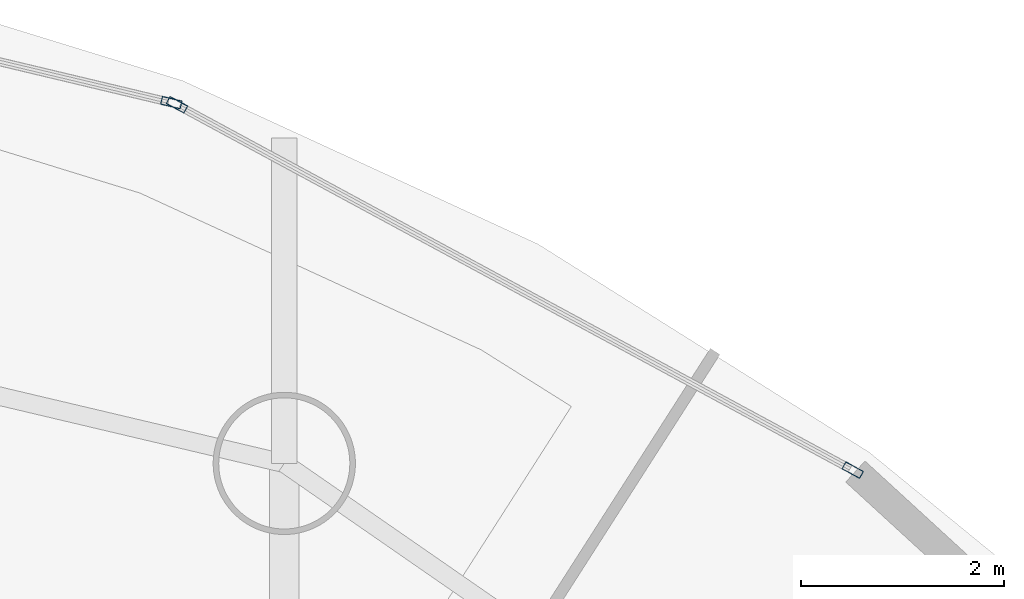
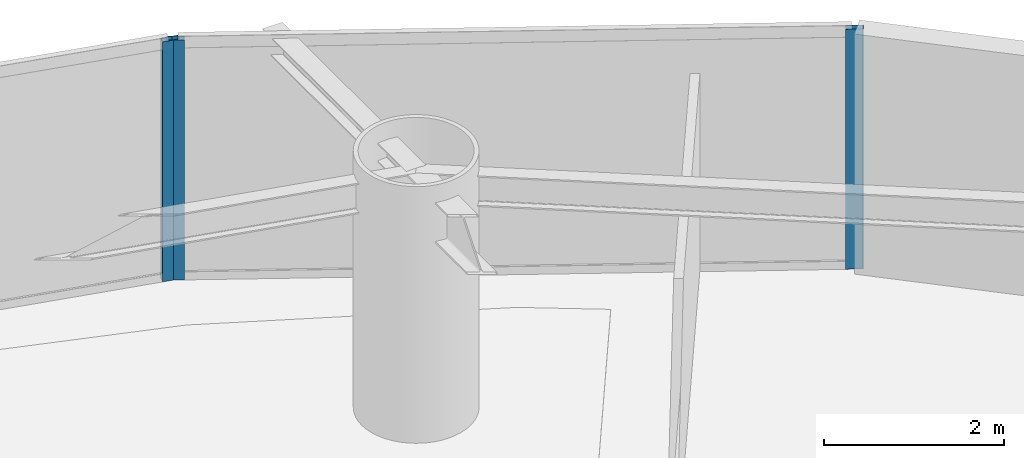
# One storey, part 14 of 22: 3 members, 2 elements without a shape of their own.
"""IFC4 building model written with IfcOpenShell, lengths in metres."""

from ifc_helpers import new_model, si_unit, direction, frame, origin, origin_2d, place, context, subcontext, project, spatial, hollow_rectangle, extrude, material, layer, layer_set, material_profile, profile_set, type_object, element, aggregate, save


model = new_model("IFC4")

# Units and contexts
model_context = context("Model", 3, precision=1e-05, world=origin(), true_north=direction((0.0, 1.0)))
body_context = subcontext(model_context, "Body", "Model", "MODEL_VIEW")
ifc_project = project(units=[si_unit("LENGTHUNIT", "METRE"), si_unit("AREAUNIT", "SQUARE_METRE"), si_unit("VOLUMEUNIT", "CUBIC_METRE"), si_unit("PLANEANGLEUNIT", "RADIAN"), si_unit("MASSUNIT", "GRAM", prefix="KILO")], contexts=[model_context])

# Site, building, storey
site_placement = place(None, origin())
site = spatial("IfcSite", under=ifc_project, at=site_placement, CompositionType="ELEMENT")
building_placement = place(site_placement, origin())
building = spatial("IfcBuilding", under=site, at=building_placement, Name="Bramvorn Convention Spire", CompositionType="ELEMENT")
storey_placement = place(building_placement, frame((0.0, 0.0, 116.800048828125)))
storey = spatial("IfcBuildingStorey", under=building, at=storey_placement, Name="L28", CompositionType="ELEMENT", Elevation=116.800048828125)

# Curtain wall, members
ifc_material_1 = material(Name="Anodised Bronze Unitised Curtain Wall", Category="aluminium")
ifc_layer = layer(ifc_material_1, 0.179931640625)
ifc_layer_set = layer_set([ifc_layer], Name="Anodised Bronze Unitised Curtain Wall - CW-HTL-FRIT")
curtain_wall_type = type_object("IfcCurtainWallType", Name="CW-HTL-FRIT", PredefinedType="USERDEFINED", material=ifc_layer_set)
curtain_wall_1_placement = place(storey_placement, origin())
curtain_wall_1 = element("IfcCurtainWall", 1, at=curtain_wall_1_placement, inside=storey, type_object=curtain_wall_type, Name="L28 fritted glass curtain wall 06", ObjectType="UNITISED CURTAIN WALL", PredefinedType="USERDEFINED")
ifc_material_2 = material(Name="Anodised Bronze Aluminium 6063-T6", Category="aluminium")
ifc_material_profile = material_profile(ifc_material_2, hollow_rectangle(XDim=0.080078125, YDim=0.199951171875, WallThickness=0.00390625, InnerFilletRadius=0.0009765625, OuterFilletRadius=0.00390625, at=origin_2d()))
ifc_profile_set = profile_set([ifc_material_profile], Name="Anodised Bronze Aluminium 6063-T6 - CWM80X200")
member_type = type_object("IfcMemberType", Name="CW-MUL-180", PredefinedType="MULLION", material=ifc_profile_set)
member_1_placement = place(storey_placement, frame((45.027099609375, 47.682373046875, 0.0), z_axis=(0.0, 0.0, 1.0), x_axis=(0.475592815973, 0.879665546327, 0.0)))
member_1 = element("IfcMember", 2, at=member_1_placement, type_object=member_type, Name="CW2 mullion 1", PredefinedType="MULLION", context=body_context, shape_type="SweptSolid", body=[
    extrude(hollow_rectangle(XDim=0.080078125, YDim=0.199951171875, WallThickness=0.00390625, InnerFilletRadius=0.0009765625, OuterFilletRadius=0.00390625, at=origin_2d()), origin(), (0.0, 0.0, 1.0), 3.260009765625),
])
member_2_placement = place(storey_placement, frame((51.675048828125, 44.088134765625, 0.0), z_axis=(0.0, 0.0, 1.0), x_axis=(0.475592815973, 0.879665546327, 0.0)))
member_2 = element("IfcMember", 3, at=member_2_placement, type_object=member_type, Name="CW2 mullion 2", PredefinedType="MULLION", context=body_context, shape_type="SweptSolid", body=[
    extrude(hollow_rectangle(XDim=0.080078125, YDim=0.199951171875, WallThickness=0.00390625, InnerFilletRadius=0.0009765625, OuterFilletRadius=0.00390625, at=origin_2d()), origin(), (0.0, 0.0, 1.0), 3.260009765625),
])
aggregate(curtain_wall_1, [member_1, member_2])

# Curtain wall, member
curtain_wall_2_placement = place(storey_placement, origin())
curtain_wall_2 = element("IfcCurtainWall", 4, at=curtain_wall_2_placement, inside=storey, type_object=curtain_wall_type, Name="L28 fritted glass curtain wall 07", ObjectType="UNITISED CURTAIN WALL", PredefinedType="USERDEFINED")
member_3_placement = place(storey_placement, frame((44.971435546875, 47.70361328125, 0.0), z_axis=(0.0, 0.0, 1.0), x_axis=(0.231783804127, 0.972767324772, 0.0)))
member_3 = element("IfcMember", 5, at=member_3_placement, type_object=member_type, Name="CW2 mullion 2", PredefinedType="MULLION", context=body_context, shape_type="SweptSolid", body=[
    extrude(hollow_rectangle(XDim=0.080078125, YDim=0.199951171875, WallThickness=0.00390625, InnerFilletRadius=0.0009765625, OuterFilletRadius=0.00390625, at=origin_2d()), origin(), (0.0, 0.0, 1.0), 3.260009765625),
])
aggregate(curtain_wall_2, [member_3])

save(model, "model.ifc")
